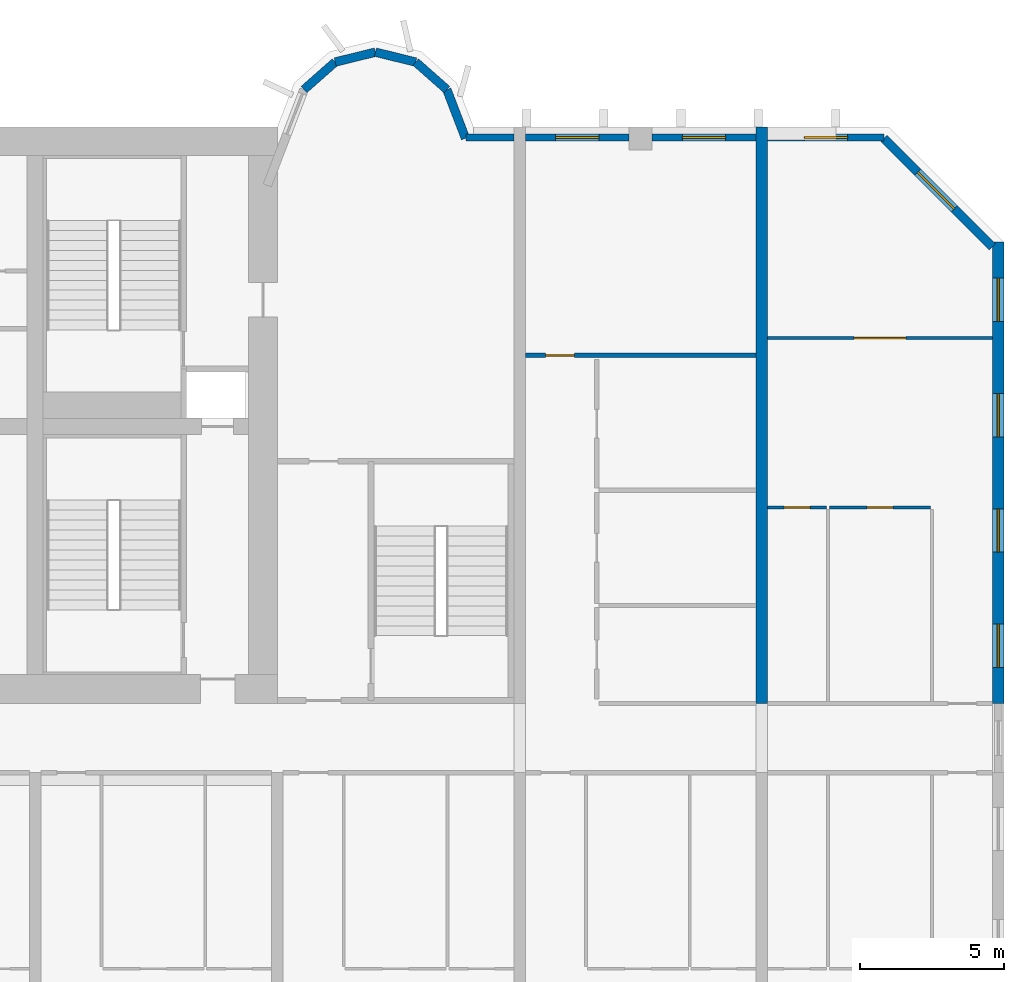
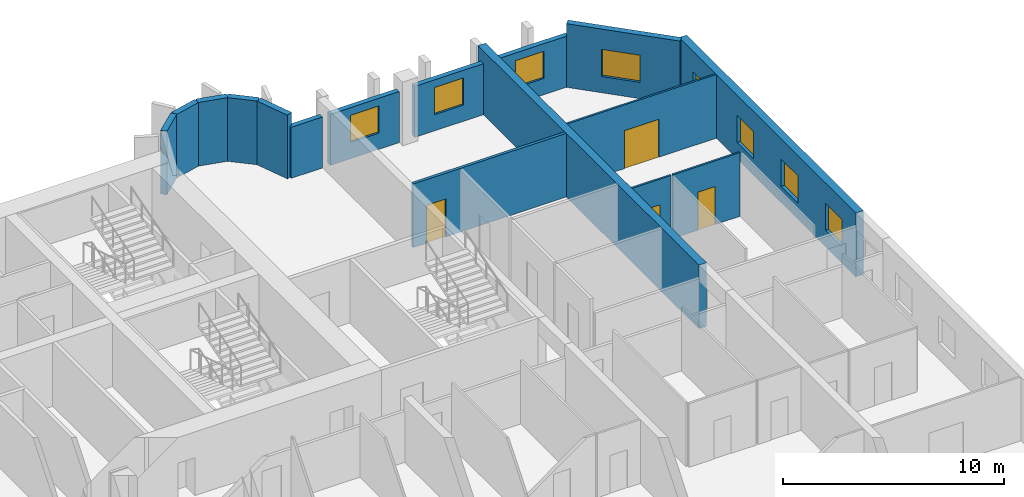
# One storey, part 11 of 15: 16 walls, 8 windows, 4 doors, 12 openings.
"""IFC4 building model written with IfcOpenShell, lengths in metres."""

from ifc_helpers import new_model, si_unit, direction, frame, frame_2d, origin, place, context, subcontext, project, spatial, rectangle, extrude, source, transform, mapped, material, layer, layer_set, type_object, element, fill, save


model = new_model("IFC4")

# Units and contexts
model_context = context("Model", 3, precision=1e-05, world=origin(), true_north=direction((0.0, 1.0)))
body_context = subcontext(model_context, "Body", "Model", "MODEL_VIEW")
ifc_project = project(units=[si_unit("LENGTHUNIT", "METRE"), si_unit("AREAUNIT", "SQUARE_METRE"), si_unit("VOLUMEUNIT", "CUBIC_METRE"), si_unit("PLANEANGLEUNIT", "RADIAN"), si_unit("MASSUNIT", "GRAM", prefix="KILO")], contexts=[model_context])

# Site, building, storey
site_placement = place(None, origin())
site = spatial("IfcSite", under=ifc_project, at=site_placement, CompositionType="ELEMENT")
building_placement = place(site_placement, origin())
building = spatial("IfcBuilding", under=site, at=building_placement, Name="Vanashikhar Sky Hotel", CompositionType="ELEMENT")
storey_placement = place(building_placement, frame((0.0, 0.0, 65.800048828125)))
storey = spatial("IfcBuildingStorey", under=building, at=storey_placement, Name="L15", CompositionType="ELEMENT", Elevation=65.800048828125)

# Wall, openings, windows
ifc_material_1 = material(Name="Concrete M80", Category="concrete")
ifc_layer_1 = layer(ifc_material_1, 0.39990234375)
ifc_layer_set_1 = layer_set([ifc_layer_1], Name="RC shear wall 400 Concrete M80")
wall_type_1 = type_object("IfcWallType", Name="RC shear wall 400 Concrete M80", PredefinedType="SHEAR", material=ifc_layer_set_1)
shared_shape_1 = source(origin(), body_context, "Body", "SweptSolid", [
    extrude(rectangle(XDim=16.0, YDim=0.39990234375, at=frame_2d((8.0, 0.0))), origin(), (0.0, 0.0, 1.0), 3.52001953125),
])
wall_1_placement = place(storey_placement, frame((100.60009765625, 22.0, 0.0), z_axis=(0.0, 0.0, 1.0), x_axis=(0.0, 1.0, 0.0)))
wall_1 = element("IfcWall", 1, at=wall_1_placement, inside=storey, type_object=wall_type_1, Name="CW-L15-XW13-2", PredefinedType="SHEAR", context=body_context, shape_type="MappedRepresentation", body=[
    mapped(shared_shape_1, transform((0.0, 0.0, 0.0), scale=1.0)),
])
shared_shape_2 = source(origin(), body_context, "Body", "SweptSolid", [
    extrude(rectangle(XDim=1.5, YDim=1.5, at=frame_2d((0.75, 0.75))), frame((0.0, 0.2099609375, 0.0), z_axis=(0.0, -1.0, 0.0), x_axis=(1.0, 0.0, 0.0)), (0.0, 0.0, 1.0), 0.419921875),
])
opening_1_placement = place(wall_1_placement, frame((1.25, 0.0, 0.89990234375)))
opening_1 = element("IfcOpeningElement", 2, at=opening_1_placement, cuts=wall_1, Name="Opening WN-1", PredefinedType="OPENING", context=body_context, shape_type="MappedRepresentation", body=[
    mapped(shared_shape_2, transform((0.0, 0.0, 0.0), scale=1.0)),
])
opening_2_placement = place(wall_1_placement, frame((5.25, 0.0, 0.89990234375)))
opening_2 = element("IfcOpeningElement", 3, at=opening_2_placement, cuts=wall_1, Name="Opening WN-1", PredefinedType="OPENING", context=body_context, shape_type="MappedRepresentation", body=[
    mapped(shared_shape_2, transform((0.0, 0.0, 0.0), scale=1.0)),
])
opening_3_placement = place(wall_1_placement, frame((9.25, 0.0, 0.89990234375)))
opening_3 = element("IfcOpeningElement", 4, at=opening_3_placement, cuts=wall_1, Name="Opening WN-1", PredefinedType="OPENING", context=body_context, shape_type="MappedRepresentation", body=[
    mapped(shared_shape_2, transform((0.0, 0.0, 0.0), scale=1.0)),
])
opening_4_placement = place(wall_1_placement, frame((13.25, 0.0, 0.89990234375)))
opening_4 = element("IfcOpeningElement", 5, at=opening_4_placement, cuts=wall_1, Name="Opening WN-1", PredefinedType="OPENING", context=body_context, shape_type="MappedRepresentation", body=[
    mapped(shared_shape_2, transform((0.0, 0.0, 0.0), scale=1.0)),
])
ifc_material_2 = material(Name="Glass", Category="glass")
window_type_1 = type_object("IfcWindowType", Name="Window 1500 x 1500", PartitioningType="SINGLE_PANEL", PredefinedType="WINDOW", material=ifc_material_2)
shared_shape_3 = source(origin(), body_context, "Body", "SweptSolid", [
    extrude(rectangle(XDim=1.5, YDim=1.5, at=frame_2d((0.75, 0.75))), frame((0.0, 0.030029296875, 0.0), z_axis=(0.0, -1.0, 0.0), x_axis=(1.0, 0.0, 0.0)), (0.0, 0.0, 1.0), 0.06005859375),
])
window_1_placement = place(opening_1_placement, origin())
window_1 = element("IfcWindow", 6, at=window_1_placement, inside=storey, type_object=window_type_1, Name="Window WN-1", OverallHeight=1.5, OverallWidth=1.5, PartitioningType="SINGLE_PANEL", PredefinedType="WINDOW", context=body_context, shape_type="MappedRepresentation", body=[
    mapped(shared_shape_3, transform((0.0, 0.0, 0.0), scale=1.0)),
])
fill(opening_1, window_1)
window_2_placement = place(opening_2_placement, origin())
window_2 = element("IfcWindow", 7, at=window_2_placement, inside=storey, type_object=window_type_1, Name="Window WN-1", OverallHeight=1.5, OverallWidth=1.5, PartitioningType="SINGLE_PANEL", PredefinedType="WINDOW", context=body_context, shape_type="MappedRepresentation", body=[
    mapped(shared_shape_3, transform((0.0, 0.0, 0.0), scale=1.0)),
])
fill(opening_2, window_2)
window_3_placement = place(opening_3_placement, origin())
window_3 = element("IfcWindow", 8, at=window_3_placement, inside=storey, type_object=window_type_1, Name="Window WN-1", OverallHeight=1.5, OverallWidth=1.5, PartitioningType="SINGLE_PANEL", PredefinedType="WINDOW", context=body_context, shape_type="MappedRepresentation", body=[
    mapped(shared_shape_3, transform((0.0, 0.0, 0.0), scale=1.0)),
])
fill(opening_3, window_3)
window_4_placement = place(opening_4_placement, origin())
window_4 = element("IfcWindow", 9, at=window_4_placement, inside=storey, type_object=window_type_1, Name="Window WN-1", OverallHeight=1.5, OverallWidth=1.5, PartitioningType="SINGLE_PANEL", PredefinedType="WINDOW", context=body_context, shape_type="MappedRepresentation", body=[
    mapped(shared_shape_3, transform((0.0, 0.0, 0.0), scale=1.0)),
])
fill(opening_4, window_4)

# Wall
shared_shape_4 = source(origin(), body_context, "Body", "SweptSolid", [
    extrude(rectangle(XDim=20.0, YDim=0.39990234375, at=frame_2d((10.0, 0.0))), origin(), (0.0, 0.0, 1.0), 3.52001953125),
])
wall_2_placement = place(storey_placement, frame((92.39990234375, 22.0, 0.0), z_axis=(0.0, 0.0, 1.0), x_axis=(0.0, 1.0, 0.0)))
element("IfcWall", 10, at=wall_2_placement, inside=storey, type_object=wall_type_1, Name="CW-L15-XW12-2", PredefinedType="SHEAR", context=body_context, shape_type="MappedRepresentation", body=[
    mapped(shared_shape_4, transform((0.0, 0.0, 0.0), scale=1.0)),
])

# Wall, opening, window
ifc_material_3 = material(Name="Concrete M50", Category="concrete")
ifc_layer_2 = layer(ifc_material_3, 0.300048828125)
ifc_layer_set_2 = layer_set([ifc_layer_2], Name="Lobe wall 300")
wall_type_2 = type_object("IfcWallType", Name="Lobe wall 300", PredefinedType="SOLIDWALL", material=ifc_layer_set_2)
shared_shape_5 = source(origin(), body_context, "Body", "SweptSolid", [
    extrude(rectangle(XDim=5.32568359375, YDim=0.300048828125, at=frame_2d((2.662841796875, 0.0))), origin(), (0.0, 0.0, 1.0), 3.52001953125),
])
wall_3_placement = place(storey_placement, frame((100.39990234375, 37.834228515625, 0.0), z_axis=(0.0, 0.0, 1.0), x_axis=(-0.707083859269, 0.707129702361, 0.0)))
wall_3 = element("IfcWall", 11, at=wall_3_placement, inside=storey, type_object=wall_type_2, Name="Corner wall", PredefinedType="SOLIDWALL", context=body_context, shape_type="MappedRepresentation", body=[
    mapped(shared_shape_5, transform((0.0, 0.0, 0.0), scale=1.0)),
])
shared_shape_6 = source(origin(), body_context, "Body", "SweptSolid", [
    extrude(rectangle(XDim=1.800048828125, YDim=1.5, at=frame_2d((0.89990234375, 0.75))), frame((0.0, 0.16015625, 0.0), z_axis=(0.0, -1.0, 0.0), x_axis=(1.0, 0.0, 0.0)), (0.0, 0.0, 1.0), 0.320068359375),
])
opening_5_placement = place(wall_3_placement, frame((1.871337890625, 0.0, 0.89990234375)))
opening_5 = element("IfcOpeningElement", 12, at=opening_5_placement, cuts=wall_3, Name="Opening WN-4", PredefinedType="OPENING", context=body_context, shape_type="MappedRepresentation", body=[
    mapped(shared_shape_6, transform((0.0, 0.0, 0.0), scale=1.0)),
])
window_type_2 = type_object("IfcWindowType", Name="Corner window 1800 x 1500", PartitioningType="SINGLE_PANEL", PredefinedType="WINDOW", material=ifc_material_2)
shared_shape_7 = source(origin(), body_context, "Body", "SweptSolid", [
    extrude(rectangle(XDim=1.800048828125, YDim=1.5, at=frame_2d((0.89990234375, 0.75))), frame((0.0, 0.030029296875, 0.0), z_axis=(0.0, -1.0, 0.0), x_axis=(1.0, 0.0, 0.0)), (0.0, 0.0, 1.0), 0.06005859375),
])
window_5_placement = place(opening_5_placement, origin())
window_5 = element("IfcWindow", 13, at=window_5_placement, inside=storey, type_object=window_type_2, Name="Window WN-4", OverallHeight=1.5, OverallWidth=1.800048828125, PartitioningType="SINGLE_PANEL", PredefinedType="WINDOW", context=body_context, shape_type="MappedRepresentation", body=[
    mapped(shared_shape_7, transform((0.0, 0.0, 0.0), scale=1.0)),
])
fill(opening_5, window_5)

# Walls
shared_shape_8 = source(origin(), body_context, "Body", "SweptSolid", [
    extrude(rectangle(XDim=1.438720703125, YDim=0.300048828125, at=frame_2d((0.71923828125, 0.0))), origin(), (0.0, 0.0, 1.0), 3.52001953125),
])
for number, where, z_axis, x_axis, name in (
    (14, (80.397216796875, 44.2451171875, 0.0), (0.0, 0.0, 1.0), (-0.971161932466, 0.238420848351, 0.0), "Lobe wall"),
    (15, (79.0, 44.588134765625, 0.0), (0.0, 0.0, 1.0), (-0.971161932466, -0.238420848351, 0.0), "Lobe wall"),
):
    element("IfcWall", number, at=place(storey_placement, frame(where, z_axis=z_axis, x_axis=x_axis)), inside=storey, type_object=wall_type_2, Name=name, PredefinedType="SOLIDWALL", context=body_context, shape_type="MappedRepresentation", body=[
        mapped(shared_shape_8, transform((0.0, 0.0, 0.0), scale=1.0)),
    ])
shared_shape_9 = source(origin(), body_context, "Body", "SweptSolid", [
    extrude(rectangle(XDim=1.43994140625, YDim=0.300048828125, at=frame_2d((0.719970703125, 0.0))), origin(), (0.0, 0.0, 1.0), 3.52001953125),
])
for number, where, z_axis, x_axis, name in (
    (16, (81.4765625, 43.2919921875, 0.0), (0.0, 0.0, 1.0), (-0.74957555648, 0.661918790432, 0.0), "Lobe wall"),
    (17, (77.602783203125, 44.2451171875, 0.0), (0.0, 0.0, 1.0), (-0.74957555648, -0.661918790432, 0.0), "Lobe wall"),
):
    element("IfcWall", number, at=place(storey_placement, frame(where, z_axis=z_axis, x_axis=x_axis)), inside=storey, type_object=wall_type_2, Name=name, PredefinedType="SOLIDWALL", context=body_context, shape_type="MappedRepresentation", body=[
        mapped(shared_shape_9, transform((0.0, 0.0, 0.0), scale=1.0)),
    ])
shared_shape_10 = source(origin(), body_context, "Body", "SweptSolid", [
    extrude(rectangle(XDim=1.81201171875, YDim=0.300048828125, at=frame_2d((0.906005859375, 0.0))), origin(), (0.0, 0.0, 1.0), 3.52001953125),
])
wall_4_placement = place(storey_placement, frame((82.125, 41.60009765625, 0.0), z_axis=(0.0, 0.0, 1.0), x_axis=(-0.357877270961, 0.93376863244, 0.0)))
element("IfcWall", 18, at=wall_4_placement, inside=storey, type_object=wall_type_2, Name="Lobe wall", PredefinedType="SOLIDWALL", context=body_context, shape_type="MappedRepresentation", body=[
    mapped(shared_shape_10, transform((0.0, 0.0, 0.0), scale=1.0)),
])
ifc_layer_3 = layer(ifc_material_3, 0.25)
ifc_layer_set_3 = layer_set([ifc_layer_3], Name="Rear and end board-marked wall 250")
wall_type_3 = type_object("IfcWallType", Name="Rear and end board-marked wall 250", PredefinedType="SOLIDWALL", material=ifc_layer_set_3)
shared_shape_11 = source(origin(), body_context, "Body", "SweptSolid", [
    extrude(rectangle(XDim=1.657958984375, YDim=0.25, at=frame_2d((0.8291015625, 0.0))), origin(), (0.0, 0.0, 1.0), 2.820068359375),
])
wall_5_placement = place(storey_placement, frame((83.800048828125, 41.625, 0.0), z_axis=(0.0, 0.0, 1.0), x_axis=(-1.0, 0.0, 0.0)))
element("IfcWall", 19, at=wall_5_placement, inside=storey, type_object=wall_type_3, Name="Rear board-marked wall", PredefinedType="SOLIDWALL", context=body_context, shape_type="MappedRepresentation", body=[
    mapped(shared_shape_11, transform((0.0, 0.0, 0.0), scale=1.0)),
])

# Wall, opening, window
shared_shape_12 = source(origin(), body_context, "Body", "SweptSolid", [
    extrude(rectangle(XDim=3.60009765625, YDim=0.25, at=frame_2d((1.800048828125, 0.0))), origin(), (0.0, 0.0, 1.0), 2.820068359375),
])
wall_6_placement = place(storey_placement, frame((87.800048828125, 41.625, 0.0), z_axis=(0.0, 0.0, 1.0), x_axis=(-1.0, 0.0, 0.0)))
wall_6 = element("IfcWall", 20, at=wall_6_placement, inside=storey, type_object=wall_type_3, Name="Rear board-marked wall", PredefinedType="SOLIDWALL", context=body_context, shape_type="MappedRepresentation", body=[
    mapped(shared_shape_12, transform((0.0, 0.0, 0.0), scale=1.0)),
])
shared_shape_13 = source(origin(), body_context, "Body", "SweptSolid", [
    extrude(rectangle(XDim=1.5, YDim=1.5, at=frame_2d((0.75, 0.75))), frame((0.0, 0.135009765625, 0.0), z_axis=(0.0, -1.0, 0.0), x_axis=(1.0, 0.0, 0.0)), (0.0, 0.0, 1.0), 0.27001953125),
])
opening_6_placement = place(wall_6_placement, frame((1.050048828125, 0.0, 0.89990234375)))
opening_6 = element("IfcOpeningElement", 21, at=opening_6_placement, cuts=wall_6, Name="Opening WN-1", PredefinedType="OPENING", context=body_context, shape_type="MappedRepresentation", body=[
    mapped(shared_shape_13, transform((0.0, 0.0, 0.0), scale=1.0)),
])
window_6_placement = place(opening_6_placement, origin())
window_6 = element("IfcWindow", 22, at=window_6_placement, inside=storey, type_object=window_type_1, Name="Window WN-1", OverallHeight=1.5, OverallWidth=1.5, PartitioningType="SINGLE_PANEL", PredefinedType="WINDOW", context=body_context, shape_type="MappedRepresentation", body=[
    mapped(shared_shape_3, transform((0.0, 0.0, 0.0), scale=1.0)),
])
fill(opening_6, window_6)

shared_shape_14 = source(origin(), body_context, "Body", "SweptSolid", [
    extrude(rectangle(XDim=3.599853515625, YDim=0.25, at=frame_2d((1.7998046875, 0.0))), origin(), (0.0, 0.0, 1.0), 2.820068359375),
])
wall_7_placement = place(storey_placement, frame((92.199951171875, 41.625, 0.0), z_axis=(0.0, 0.0, 1.0), x_axis=(-1.0, 0.0, 0.0)))
wall_7 = element("IfcWall", 23, at=wall_7_placement, inside=storey, type_object=wall_type_3, Name="Rear board-marked wall", PredefinedType="SOLIDWALL", context=body_context, shape_type="MappedRepresentation", body=[
    mapped(shared_shape_14, transform((0.0, 0.0, 0.0), scale=1.0)),
])
opening_7_placement = place(wall_7_placement, frame((1.050048828125, 0.0, 0.89990234375)))
opening_7 = element("IfcOpeningElement", 24, at=opening_7_placement, cuts=wall_7, Name="Opening WN-1", PredefinedType="OPENING", context=body_context, shape_type="MappedRepresentation", body=[
    mapped(shared_shape_13, transform((0.0, 0.0, 0.0), scale=1.0)),
])
window_7_placement = place(opening_7_placement, origin())
window_7 = element("IfcWindow", 25, at=window_7_placement, inside=storey, type_object=window_type_1, Name="Window WN-1", OverallHeight=1.5, OverallWidth=1.5, PartitioningType="SINGLE_PANEL", PredefinedType="WINDOW", context=body_context, shape_type="MappedRepresentation", body=[
    mapped(shared_shape_3, transform((0.0, 0.0, 0.0), scale=1.0)),
])
fill(opening_7, window_7)

shared_shape_15 = source(origin(), body_context, "Body", "SweptSolid", [
    extrude(rectangle(XDim=4.044677734375, YDim=0.25, at=frame_2d((2.0224609375, 0.0))), origin(), (0.0, 0.0, 1.0), 2.820068359375),
])
wall_8_placement = place(storey_placement, frame((96.644775390625, 41.625, 0.0), z_axis=(0.0, 0.0, 1.0), x_axis=(-1.0, 0.0, 0.0)))
wall_8 = element("IfcWall", 26, at=wall_8_placement, inside=storey, type_object=wall_type_3, Name="Rear board-marked wall", PredefinedType="SOLIDWALL", context=body_context, shape_type="MappedRepresentation", body=[
    mapped(shared_shape_15, transform((0.0, 0.0, 0.0), scale=1.0)),
])
opening_8_placement = place(wall_8_placement, frame((1.272216796875, 0.0, 0.89990234375)))
opening_8 = element("IfcOpeningElement", 27, at=opening_8_placement, cuts=wall_8, Name="Opening WN-1", PredefinedType="OPENING", context=body_context, shape_type="MappedRepresentation", body=[
    mapped(shared_shape_13, transform((0.0, 0.0, 0.0), scale=1.0)),
])
window_8_placement = place(opening_8_placement, origin())
window_8 = element("IfcWindow", 28, at=window_8_placement, inside=storey, type_object=window_type_1, Name="Window WN-1", OverallHeight=1.5, OverallWidth=1.5, PartitioningType="SINGLE_PANEL", PredefinedType="WINDOW", context=body_context, shape_type="MappedRepresentation", body=[
    mapped(shared_shape_3, transform((0.0, 0.0, 0.0), scale=1.0)),
])
fill(opening_8, window_8)

# Wall, opening, door
ifc_material_4 = material(Name="Gypsum plasterboard partition")
ifc_layer_4 = layer(ifc_material_4, 0.10009765625)
ifc_layer_set_4 = layer_set([ifc_layer_4], Name="Wet room partition 100")
wall_type_4 = type_object("IfcWallType", Name="Wet room partition 100", PredefinedType="PARTITIONING", material=ifc_layer_set_4)
shared_shape_16 = source(origin(), body_context, "Body", "SweptSolid", [
    extrude(rectangle(XDim=2.0498046875, YDim=0.10009765625, at=frame_2d((1.02490234375, 0.0))), origin(), (0.0, 0.0, 1.0), 3.52001953125),
])
wall_9_placement = place(storey_placement, frame((92.60009765625, 28.800048828125, 0.0), z_axis=(0.0, 0.0, 1.0), x_axis=(1.0, 0.0, 0.0)))
wall_9 = element("IfcWall", 29, at=wall_9_placement, inside=storey, type_object=wall_type_4, Name="W-L15-PW093", PredefinedType="PARTITIONING", context=body_context, shape_type="MappedRepresentation", body=[
    mapped(shared_shape_16, transform((0.0, 0.0, 0.0), scale=1.0)),
])
shared_shape_17 = source(origin(), body_context, "Body", "SweptSolid", [
    extrude(rectangle(XDim=0.89990234375, YDim=2.10009765625, at=frame_2d((0.449951171875, 1.050048828125))), frame((0.0, 0.06005859375, 0.0), z_axis=(0.0, -1.0, 0.0), x_axis=(1.0, 0.0, 0.0)), (0.0, 0.0, 1.0), 0.1201171875),
])
opening_9_placement = place(wall_9_placement, frame((0.574951171875, 0.0, 0.0)))
opening_9 = element("IfcOpeningElement", 30, at=opening_9_placement, cuts=wall_9, Name="Opening D-02", PredefinedType="OPENING", context=body_context, shape_type="MappedRepresentation", body=[
    mapped(shared_shape_17, transform((0.0, 0.0, 0.0), scale=1.0)),
])
ifc_material_5 = material(Name="Timber door", Category="wood")
door_type_1 = type_object("IfcDoorType", Name="Internal door 900", OperationType="NOTDEFINED", PredefinedType="DOOR", material=ifc_material_5)
shared_shape_18 = source(origin(), body_context, "Body", "SweptSolid", [
    extrude(rectangle(XDim=0.89990234375, YDim=2.10009765625, at=frame_2d((0.449951171875, 1.050048828125))), frame((0.0, 0.02490234375, 0.0), z_axis=(0.0, -1.0, 0.0), x_axis=(1.0, 0.0, 0.0)), (0.0, 0.0, 1.0), 0.050048828125),
])
door_1_placement = place(opening_9_placement, origin())
door_1 = element("IfcDoor", 31, at=door_1_placement, inside=storey, type_object=door_type_1, Name="D-L15-056", OperationType="SINGLE_SWING_RIGHT", OverallHeight=2.10009765625, OverallWidth=0.89990234375, PredefinedType="DOOR", context=body_context, shape_type="MappedRepresentation", body=[
    mapped(shared_shape_18, transform((0.0, 0.0, 0.0), scale=1.0)),
])
fill(opening_9, door_1)

shared_shape_19 = source(origin(), body_context, "Body", "SweptSolid", [
    extrude(rectangle(XDim=3.5, YDim=0.10009765625, at=frame_2d((1.75, 0.0))), origin(), (0.0, 0.0, 1.0), 3.52001953125),
])
wall_10_placement = place(storey_placement, frame((94.75, 28.800048828125, 0.0), z_axis=(0.0, 0.0, 1.0), x_axis=(1.0, 0.0, 0.0)))
wall_10 = element("IfcWall", 32, at=wall_10_placement, inside=storey, type_object=wall_type_4, Name="W-L15-PW092", PredefinedType="PARTITIONING", context=body_context, shape_type="MappedRepresentation", body=[
    mapped(shared_shape_19, transform((0.0, 0.0, 0.0), scale=1.0)),
])
opening_10_placement = place(wall_10_placement, frame((1.300048828125, 0.0, 0.0)))
opening_10 = element("IfcOpeningElement", 33, at=opening_10_placement, cuts=wall_10, Name="Opening D-02", PredefinedType="OPENING", context=body_context, shape_type="MappedRepresentation", body=[
    mapped(shared_shape_17, transform((0.0, 0.0, 0.0), scale=1.0)),
])
door_2_placement = place(opening_10_placement, origin())
door_2 = element("IfcDoor", 34, at=door_2_placement, inside=storey, type_object=door_type_1, Name="D-L15-055", OperationType="SINGLE_SWING_RIGHT", OverallHeight=2.10009765625, OverallWidth=0.89990234375, PredefinedType="DOOR", context=body_context, shape_type="MappedRepresentation", body=[
    mapped(shared_shape_18, transform((0.0, 0.0, 0.0), scale=1.0)),
])
fill(opening_10, door_2)

ifc_layer_5 = layer(ifc_material_4, 0.14990234375)
ifc_layer_set_5 = layer_set([ifc_layer_5], Name="Corridor and demising partition 150")
wall_type_5 = type_object("IfcWallType", Name="Corridor and demising partition 150", PredefinedType="PARTITIONING", material=ifc_layer_set_5)
shared_shape_20 = source(origin(), body_context, "Body", "SweptSolid", [
    extrude(rectangle(XDim=8.0, YDim=0.14990234375, at=frame_2d((4.0, 0.0))), origin(), (0.0, 0.0, 1.0), 3.52001953125),
])
wall_11_placement = place(storey_placement, frame((84.199951171875, 34.074951171875, 0.0), z_axis=(0.0, 0.0, 1.0), x_axis=(1.0, 0.0, 0.0)))
wall_11 = element("IfcWall", 35, at=wall_11_placement, inside=storey, type_object=wall_type_5, Name="W-L15-PW089", PredefinedType="PARTITIONING", context=body_context, shape_type="MappedRepresentation", body=[
    mapped(shared_shape_20, transform((0.0, 0.0, 0.0), scale=1.0)),
])
shared_shape_21 = source(origin(), body_context, "Body", "SweptSolid", [
    extrude(rectangle(XDim=1.0, YDim=2.10009765625, at=frame_2d((0.5, 1.050048828125))), frame((0.0, 0.0849609375, 0.0), z_axis=(0.0, -1.0, 0.0), x_axis=(1.0, 0.0, 0.0)), (0.0, 0.0, 1.0), 0.169921875),
])
opening_11_placement = place(wall_11_placement, frame((0.699951171875, 0.0, 0.0)))
opening_11 = element("IfcOpeningElement", 36, at=opening_11_placement, cuts=wall_11, Name="Opening D-01", PredefinedType="OPENING", context=body_context, shape_type="MappedRepresentation", body=[
    mapped(shared_shape_21, transform((0.0, 0.0, 0.0), scale=1.0)),
])
ifc_material_6 = material(Name="Timber fire door", Category="wood")
door_type_2 = type_object("IfcDoorType", Name="Guest entry door 1000 FD30S", OperationType="NOTDEFINED", PredefinedType="DOOR", material=ifc_material_6)
shared_shape_22 = source(origin(), body_context, "Body", "SweptSolid", [
    extrude(rectangle(XDim=1.0, YDim=2.10009765625, at=frame_2d((0.5, 1.050048828125))), frame((0.0, 0.02490234375, 0.0), z_axis=(0.0, -1.0, 0.0), x_axis=(1.0, 0.0, 0.0)), (0.0, 0.0, 1.0), 0.050048828125),
])
door_3_placement = place(opening_11_placement, origin())
door_3 = element("IfcDoor", 37, at=door_3_placement, inside=storey, type_object=door_type_2, Name="D-L15-054", OperationType="SINGLE_SWING_LEFT", OverallHeight=2.10009765625, OverallWidth=1.0, PredefinedType="DOOR", context=body_context, shape_type="MappedRepresentation", body=[
    mapped(shared_shape_22, transform((0.0, 0.0, 0.0), scale=1.0)),
])
fill(opening_11, door_3)

shared_shape_23 = source(origin(), body_context, "Body", "SweptSolid", [
    extrude(rectangle(XDim=7.7998046875, YDim=0.10009765625, at=frame_2d((3.89990234375, 0.0))), origin(), (0.0, 0.0, 1.0), 3.52001953125),
])
wall_12_placement = place(storey_placement, frame((92.60009765625, 34.672119140625, 0.0), z_axis=(0.0, 0.0, 1.0), x_axis=(1.0, 0.0, 0.0)))
wall_12 = element("IfcWall", 38, at=wall_12_placement, inside=storey, type_object=wall_type_4, Name="W-L15-PW094", PredefinedType="PARTITIONING", context=body_context, shape_type="MappedRepresentation", body=[
    mapped(shared_shape_23, transform((0.0, 0.0, 0.0), scale=1.0)),
])
shared_shape_24 = source(origin(), body_context, "Body", "SweptSolid", [
    extrude(rectangle(XDim=1.800048828125, YDim=2.10009765625, at=frame_2d((0.89990234375, 1.050048828125))), frame((0.0, 0.06005859375, 0.0), z_axis=(0.0, -1.0, 0.0), x_axis=(1.0, 0.0, 0.0)), (0.0, 0.0, 1.0), 0.1201171875),
])
opening_12_placement = place(wall_12_placement, frame((3.0, 0.0, 0.0)))
opening_12 = element("IfcOpeningElement", 39, at=opening_12_placement, cuts=wall_12, Name="Opening D-08", PredefinedType="OPENING", context=body_context, shape_type="MappedRepresentation", body=[
    mapped(shared_shape_24, transform((0.0, 0.0, 0.0), scale=1.0)),
])
door_type_3 = type_object("IfcDoorType", Name="Double leaf door 1800", OperationType="NOTDEFINED", PredefinedType="DOOR", material=ifc_material_5)
shared_shape_25 = source(origin(), body_context, "Body", "SweptSolid", [
    extrude(rectangle(XDim=1.800048828125, YDim=2.10009765625, at=frame_2d((0.89990234375, 1.050048828125))), frame((0.0, 0.02490234375, 0.0), z_axis=(0.0, -1.0, 0.0), x_axis=(1.0, 0.0, 0.0)), (0.0, 0.0, 1.0), 0.050048828125),
])
door_4_placement = place(opening_12_placement, origin())
door_4 = element("IfcDoor", 40, at=door_4_placement, inside=storey, type_object=door_type_3, Name="D-L15-057", OperationType="DOUBLE_DOOR_SINGLE_SWING", OverallHeight=2.10009765625, OverallWidth=1.800048828125, PredefinedType="DOOR", context=body_context, shape_type="MappedRepresentation", body=[
    mapped(shared_shape_25, transform((0.0, 0.0, 0.0), scale=1.0)),
])
fill(opening_12, door_4)

save(model, "model.ifc")
